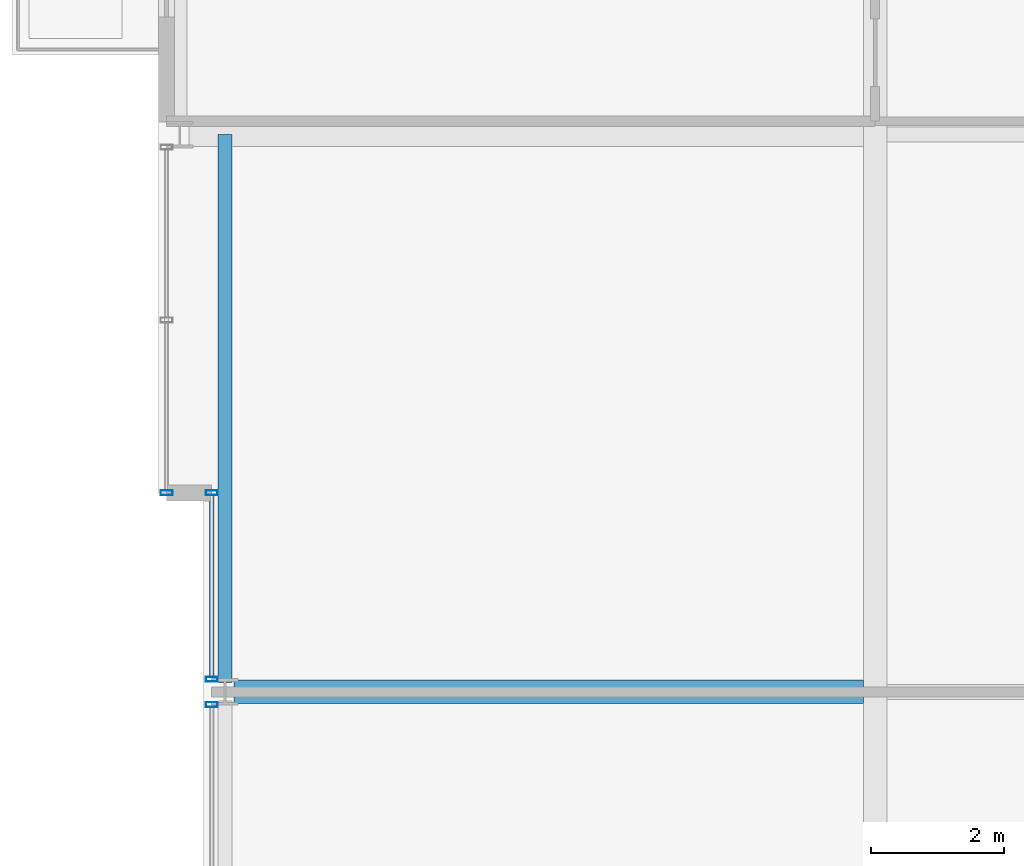
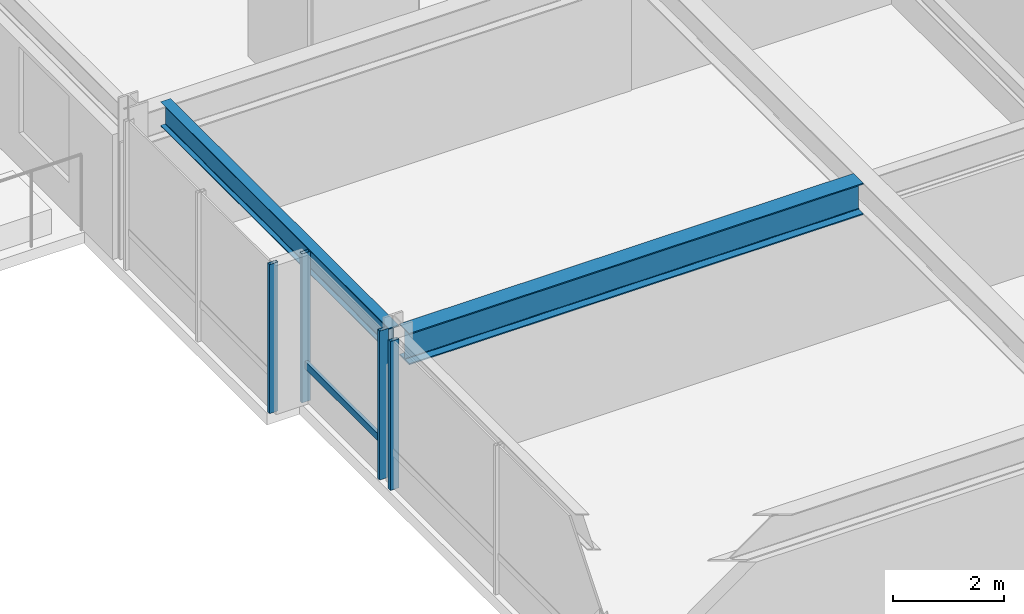
# One storey, part 9 of 31: 5 members, 2 beams, 3 elements without a shape of their own.
"""IFC4 building model written with IfcOpenShell, lengths in metres."""

from ifc_helpers import new_model, si_unit, direction, frame, origin, origin_2d, place, context, subcontext, project, spatial, hollow_rectangle, i_section, extrude, material, layer, layer_set, material_profile, profile_set, type_object, element, aggregate, save


model = new_model("IFC4")

# Units and contexts
model_context = context("Model", 3, precision=1e-05, world=origin(), true_north=direction((0.0, 1.0)))
body_context = subcontext(model_context, "Body", "Model", "MODEL_VIEW")
ifc_project = project(units=[si_unit("LENGTHUNIT", "METRE"), si_unit("AREAUNIT", "SQUARE_METRE"), si_unit("VOLUMEUNIT", "CUBIC_METRE"), si_unit("PLANEANGLEUNIT", "RADIAN"), si_unit("MASSUNIT", "GRAM", prefix="KILO")], contexts=[model_context])

# Site, building, storey
site_placement = place(None, origin())
site = spatial("IfcSite", under=ifc_project, at=site_placement, CompositionType="ELEMENT")
building_placement = place(site_placement, origin())
building = spatial("IfcBuilding", under=site, at=building_placement, Name="Drelvath Grand Hotel", CompositionType="ELEMENT")
storey_placement = place(building_placement, frame((0.0, 0.0, 185.89990234375)))
storey = spatial("IfcBuildingStorey", under=building, at=storey_placement, Name="L48", CompositionType="ELEMENT", Elevation=185.89990234375)

# Curtain wall, member
ifc_material_1 = material(Name="Brushed Pale-Silver Anodised Aluminium Frame", Category="aluminium")
ifc_layer = layer(ifc_material_1, 0.199951171875)
ifc_layer_set = layer_set([ifc_layer], Name="Brushed Pale-Silver Anodised Aluminium Frame")
curtain_wall_type = type_object("IfcCurtainWallType", Name="Stick Curtain Wall CW-04 Brushed Silver Upper-Mid", PredefinedType="NOTDEFINED", material=ifc_layer_set)
curtain_wall_1_placement = place(storey_placement, origin())
curtain_wall_1 = element("IfcCurtainWall", 1, at=curtain_wall_1_placement, inside=storey, type_object=curtain_wall_type, Name="L48 CW-04 Curtain Wall CW04-L48-WM2", PredefinedType="NOTDEFINED")
ifc_material_profile_1 = material_profile(ifc_material_1, hollow_rectangle(XDim=0.06494140625, YDim=0.159912109375, WallThickness=0.00390625, at=origin_2d()), Name="HSS160X65X4")
ifc_profile_set_1 = profile_set([ifc_material_profile_1], Name="Brushed Pale-Silver Anodised Aluminium Frame")
member_type_1 = type_object("IfcMemberType", Name="Curtain Wall Horizontal Transom CW-04 HSS160X65X4", PredefinedType="USERDEFINED", material=ifc_profile_set_1)
member_1_placement = place(storey_placement, frame((-26.199951171875, 27.231689453125, 0.822509765625), z_axis=(0.0, 1.0, 0.0), x_axis=(-1.0, 0.0, 0.0)))
member_1 = element("IfcMember", 2, at=member_1_placement, type_object=member_type_1, Name="CW04-L48-WM2 Sill Transom", ObjectType="TRANSOM", PredefinedType="USERDEFINED", context=body_context, shape_type="SweptSolid", body=[
    extrude(hollow_rectangle(XDim=0.06494140625, YDim=0.159912109375, WallThickness=0.00390625, at=origin_2d()), origin(), (0.0, 0.0, 1.0), 2.728271484375),
])

curtain_wall_2_placement = place(storey_placement, origin())
curtain_wall_2 = element("IfcCurtainWall", 3, at=curtain_wall_2_placement, inside=storey, type_object=curtain_wall_type, Name="L48 CW-04 Curtain Wall CW04-L48-WM1", PredefinedType="NOTDEFINED")
ifc_material_profile_2 = material_profile(ifc_material_1, hollow_rectangle(XDim=0.074951171875, YDim=0.179931640625, WallThickness=0.0048828125, at=origin_2d()), Name="HSS180X75X5")
ifc_profile_set_2 = profile_set([ifc_material_profile_2], Name="Brushed Pale-Silver Anodised Aluminium Frame")
member_type_2 = type_object("IfcMemberType", Name="Curtain Wall Vertical Mullion CW-04 HSS180X75X5", PredefinedType="MULLION", material=ifc_profile_set_2)
member_2_placement = place(storey_placement, frame((-26.199951171875, 26.808349609375, 0.0), z_axis=(0.0, 0.0, 1.0), x_axis=(0.0, 1.0, 0.0)))
member_2 = element("IfcMember", 4, at=member_2_placement, type_object=member_type_2, Name="CW04-L48-WM1 Mullion 3", PredefinedType="MULLION", context=body_context, shape_type="SweptSolid", body=[
    extrude(hollow_rectangle(XDim=0.074951171875, YDim=0.179931640625, WallThickness=0.0048828125, at=origin_2d()), origin(), (0.0, 0.0, 1.0), 3.2900390625),
])
aggregate(curtain_wall_2, [member_2])

# Member
member_3_placement = place(storey_placement, frame((-26.199951171875, 27.191650390625, 0.0), z_axis=(0.0, 0.0, 1.0), x_axis=(0.0, 1.0, 0.0)))
member_3 = element("IfcMember", 5, at=member_3_placement, type_object=member_type_2, Name="CW04-L48-WM2 Mullion 1", PredefinedType="MULLION", context=body_context, shape_type="SweptSolid", body=[
    extrude(hollow_rectangle(XDim=0.074951171875, YDim=0.179931640625, WallThickness=0.0048828125, at=origin_2d()), origin(), (0.0, 0.0, 1.0), 3.2900390625),
])

member_4_placement = place(storey_placement, frame((-26.199951171875, 30.0, 0.0), z_axis=(0.0, 0.0, 1.0), x_axis=(0.0, 1.0, 0.0)))
member_4 = element("IfcMember", 6, at=member_4_placement, type_object=member_type_2, Name="CW04-L48-WM2 Mullion 2", PredefinedType="MULLION", context=body_context, shape_type="SweptSolid", body=[
    extrude(hollow_rectangle(XDim=0.074951171875, YDim=0.179931640625, WallThickness=0.0048828125, at=origin_2d()), origin(), (0.0, 0.0, 1.0), 3.2900390625),
])

aggregate(curtain_wall_1, [member_3, member_4, member_1])

# Curtain wall, member
curtain_wall_3_placement = place(storey_placement, origin())
curtain_wall_3 = element("IfcCurtainWall", 7, at=curtain_wall_3_placement, inside=storey, type_object=curtain_wall_type, Name="L48 CW-04 Curtain Wall CW04-L48-WN1", PredefinedType="NOTDEFINED")
member_5_placement = place(storey_placement, frame((-26.8798828125, 30.0, 0.0), z_axis=(0.0, 0.0, 1.0), x_axis=(0.0, 1.0, 0.0)))
member_5 = element("IfcMember", 8, at=member_5_placement, type_object=member_type_2, Name="CW04-L48-WN1 Mullion 1", PredefinedType="MULLION", context=body_context, shape_type="SweptSolid", body=[
    extrude(hollow_rectangle(XDim=0.074951171875, YDim=0.179931640625, WallThickness=0.0048828125, at=origin_2d()), origin(), (0.0, 0.0, 1.0), 3.2900390625),
])
aggregate(curtain_wall_3, [member_5])

# Beams
ifc_material_2 = material(Name="Steel ASTM A992 Gr 50", Category="steel")
ifc_material_profile_3 = material_profile(ifc_material_2, i_section(OverallWidth=0.210205078125, OverallDepth=0.53662109375, WebThickness=0.010986328125, FlangeThickness=0.017333984375, FilletRadius=0.01806640625, at=origin_2d()), Name="W21X68")
ifc_profile_set_3 = profile_set([ifc_material_profile_3], Name="Steel ASTM A992 Gr 50")
beam_type_1 = type_object("IfcBeamType", Name="Perimeter Spandrel Beam W21X68", PredefinedType="SPANDREL", material=ifc_profile_set_3)
beam_1_placement = place(storey_placement, frame((-26.0, 27.139892578125, 3.021728515625), z_axis=(0.0, 1.0, 0.0), x_axis=(-1.0, 0.0, 0.0)))
element("IfcBeam", 9, at=beam_1_placement, inside=storey, type_object=beam_type_1, Name="L48 Spandrel West Mid N", PredefinedType="SPANDREL", context=body_context, shape_type="SweptSolid", body=[
    extrude(i_section(OverallWidth=0.210205078125, OverallDepth=0.53662109375, WebThickness=0.010986328125, FlangeThickness=0.017333984375, FilletRadius=0.01806640625, at=origin_2d()), origin(), (0.0, 0.0, 1.0), 8.260009765625),
])
ifc_material_profile_4 = material_profile(ifc_material_2, i_section(OverallWidth=0.354736328125, OverallDepth=0.695556640625, WebThickness=0.015380859375, FlangeThickness=0.025146484375, FilletRadius=0.02392578125, at=origin_2d()), Name="W27X146")
ifc_profile_set_4 = profile_set([ifc_material_profile_4], Name="Steel ASTM A992 Gr 50")
beam_type_2 = type_object("IfcBeamType", Name="Primary Floor Girder W27X146", PredefinedType="BEAM", material=ifc_profile_set_4)
beam_2_placement = place(storey_placement, frame((-25.860107421875, 27.0, 2.9423828125), z_axis=(1.0, 0.0, 0.0), x_axis=(0.0, 1.0, 0.0)))
element("IfcBeam", 10, at=beam_2_placement, inside=storey, type_object=beam_type_2, Name="L48 West Wing Girder E", PredefinedType="BEAM", context=body_context, shape_type="SweptSolid", body=[
    extrude(i_section(OverallWidth=0.354736328125, OverallDepth=0.695556640625, WebThickness=0.015380859375, FlangeThickness=0.025146484375, FilletRadius=0.02392578125, at=origin_2d()), origin(), (0.0, 0.0, 1.0), 9.482666015625),
])

save(model, "model.ifc")
